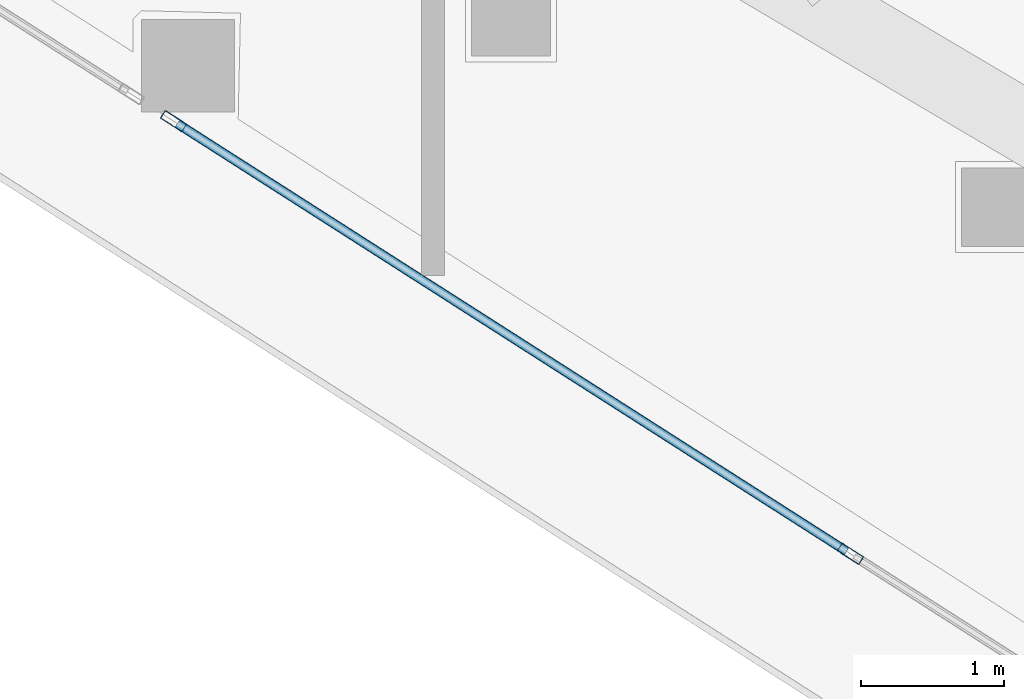
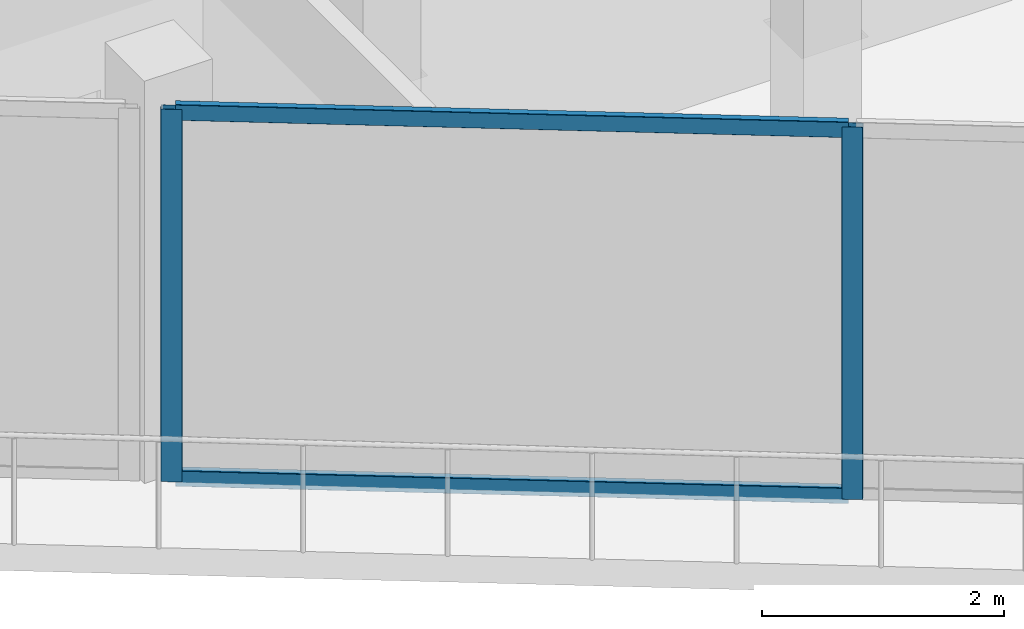
# One storey, part 4 of 34: 4 members, 1 element without a shape of its own.
"""IFC4 building model written with IfcOpenShell, lengths in metres."""

from ifc_helpers import new_model, si_unit, direction, frame, origin, origin_2d, place, context, subcontext, project, spatial, hollow_rectangle, extrude, material, layer, layer_set, material_profile, profile_set, type_object, element, aggregate, save


model = new_model("IFC4")

# Units and contexts
model_context = context("Model", 3, precision=1e-05, world=origin(), true_north=direction((0.0, 1.0)))
body_context = subcontext(model_context, "Body", "Model", "MODEL_VIEW")
ifc_project = project(units=[si_unit("LENGTHUNIT", "METRE"), si_unit("AREAUNIT", "SQUARE_METRE"), si_unit("VOLUMEUNIT", "CUBIC_METRE"), si_unit("PLANEANGLEUNIT", "RADIAN"), si_unit("MASSUNIT", "GRAM", prefix="KILO")], contexts=[model_context])

# Site, building, storey
site_placement = place(None, origin())
site = spatial("IfcSite", under=ifc_project, at=site_placement, CompositionType="ELEMENT")
building_placement = place(site_placement, origin())
building = spatial("IfcBuilding", under=site, at=building_placement, Name="Qorvath Tower", CompositionType="ELEMENT")
storey_placement = place(building_placement, frame((0.0, 0.0, 245.550048828125)))
storey = spatial("IfcBuildingStorey", under=building, at=storey_placement, Name="L57", CompositionType="ELEMENT", Elevation=245.550048828125)

# Curtain wall, members
ifc_material_1 = material(Name="Anodised aluminium and triple low-E glass", Category="aluminium")
ifc_layer = layer(ifc_material_1, 0.179931640625)
ifc_layer_set = layer_set([ifc_layer], Name="CW-SYS-3")
curtain_wall_type = type_object("IfcCurtainWallType", Name="CW-SYS-3", PredefinedType="NOTDEFINED", material=ifc_layer_set)
curtain_wall_placement = place(storey_placement, origin())
curtain_wall = element("IfcCurtainWall", 1, at=curtain_wall_placement, inside=storey, type_object=curtain_wall_type, Name="Curtain Wall CW-3 CW-T-L57-2.2", PredefinedType="NOTDEFINED")
ifc_material_2 = material(Name="Anodised aluminium 6063-T6", Category="aluminium")
ifc_material_profile_1 = material_profile(ifc_material_2, hollow_rectangle(XDim=0.06494140625, YDim=0.179931640625, WallThickness=0.00341796875, InnerFilletRadius=0.00341796875, OuterFilletRadius=0.007080078125, at=origin_2d()), Name="CWM 180x65")
ifc_profile_set_1 = profile_set([ifc_material_profile_1], Name="Anodised aluminium 6063-T6")
member_type_1 = type_object("IfcMemberType", Name="CWM-180", PredefinedType="MULLION", material=ifc_profile_set_1)
member_1_placement = place(storey_placement, frame((-36.4658203125, -13.523193359375, 0.0), z_axis=(0.0, 0.0, 1.0), x_axis=(0.538530320734, 0.84260613198, 0.0)))
member_1 = element("IfcMember", 2, at=member_1_placement, type_object=member_type_1, Name="CW-3 mullion 1", PredefinedType="MULLION", context=body_context, shape_type="SweptSolid", body=[
    extrude(hollow_rectangle(XDim=0.06494140625, YDim=0.179931640625, WallThickness=0.00341796875, InnerFilletRadius=0.00341796875, OuterFilletRadius=0.007080078125, at=origin_2d()), origin(), (0.0, 0.0, 1.0), 3.75),
])
member_2_placement = place(storey_placement, frame((-31.7294921875, -16.550048828125, 0.0), z_axis=(0.0, 0.0, 1.0), x_axis=(0.538530320734, 0.84260613198, 0.0)))
member_2 = element("IfcMember", 3, at=member_2_placement, type_object=member_type_1, Name="CW-3 mullion 2", PredefinedType="MULLION", context=body_context, shape_type="SweptSolid", body=[
    extrude(hollow_rectangle(XDim=0.06494140625, YDim=0.179931640625, WallThickness=0.00341796875, InnerFilletRadius=0.00341796875, OuterFilletRadius=0.007080078125, at=origin_2d()), origin(), (0.0, 0.0, 1.0), 3.75),
])
ifc_material_3 = material(Name="Anodised aluminium 6063-T6", Category="aluminium")
ifc_material_profile_2 = material_profile(ifc_material_3, hollow_rectangle(XDim=0.06494140625, YDim=0.159912109375, WallThickness=0.00341796875, InnerFilletRadius=0.00341796875, OuterFilletRadius=0.007080078125, at=origin_2d()), Name="CWT 160x65")
ifc_profile_set_2 = profile_set([ifc_material_profile_2], Name="Anodised aluminium 6063-T6")
member_type_2 = type_object("IfcMemberType", Name="CWT-160", PredefinedType="USERDEFINED", material=ifc_profile_set_2)
member_3_placement = place(storey_placement, frame((-36.4384765625, -13.54052734375, 0.032470703125), z_axis=(0.842590469409, -0.538554826236, 0.0), x_axis=(0.538554826236, 0.842590469409, 0.0)))
member_3 = element("IfcMember", 4, at=member_3_placement, type_object=member_type_2, Name="CW-3 transom 1.1", ObjectType="TRANSOM", PredefinedType="USERDEFINED", context=body_context, shape_type="SweptSolid", body=[
    extrude(hollow_rectangle(XDim=0.06494140625, YDim=0.159912109375, WallThickness=0.00341796875, InnerFilletRadius=0.00341796875, OuterFilletRadius=0.007080078125, at=origin_2d()), origin(), (0.0, 0.0, 1.0), 5.555908203125),
])
member_4_placement = place(storey_placement, frame((-36.4384765625, -13.54052734375, 3.717529296875), z_axis=(0.842590469409, -0.538554826236, 0.0), x_axis=(0.538554826236, 0.842590469409, 0.0)))
member_4 = element("IfcMember", 5, at=member_4_placement, type_object=member_type_2, Name="CW-3 transom 1.2", ObjectType="TRANSOM", PredefinedType="USERDEFINED", context=body_context, shape_type="SweptSolid", body=[
    extrude(hollow_rectangle(XDim=0.06494140625, YDim=0.159912109375, WallThickness=0.00341796875, InnerFilletRadius=0.00341796875, OuterFilletRadius=0.007080078125, at=origin_2d()), origin(), (0.0, 0.0, 1.0), 5.555908203125),
])
aggregate(curtain_wall, [member_1, member_2, member_3, member_4])

save(model, "model.ifc")
